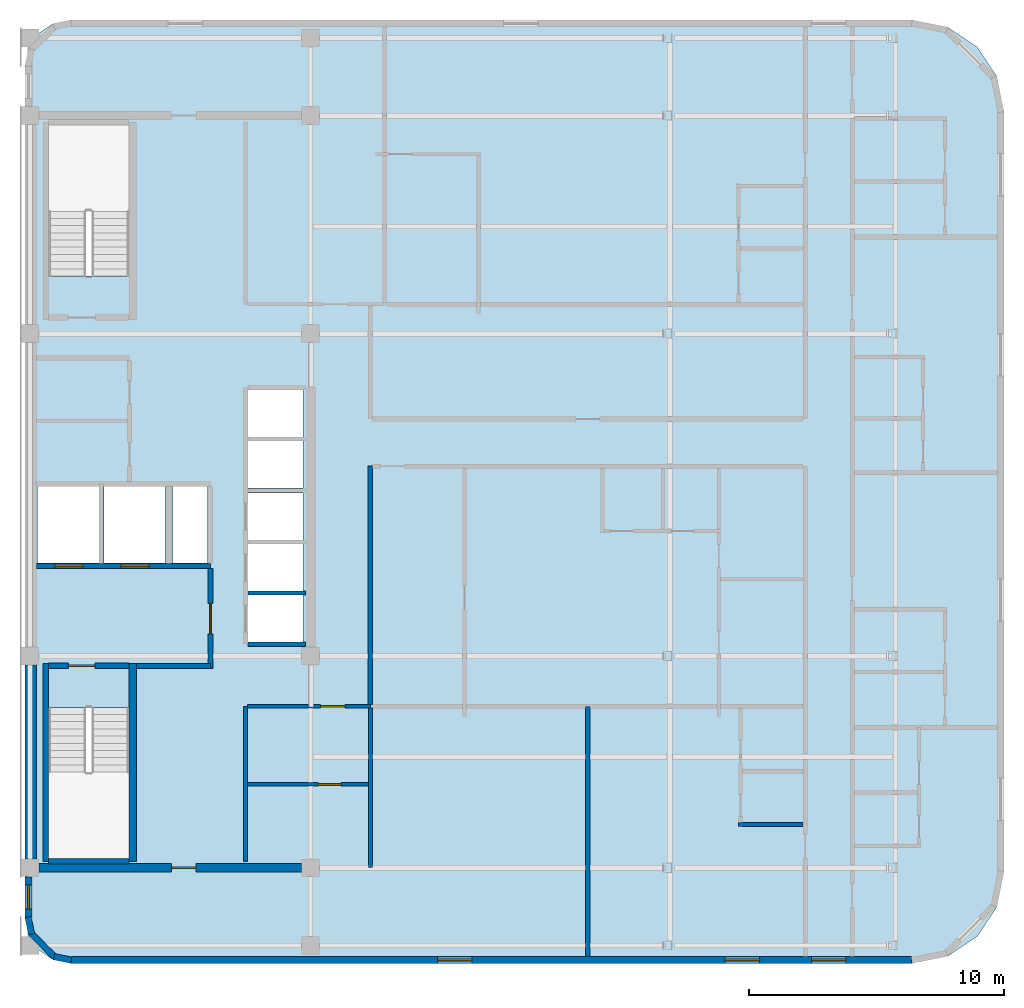
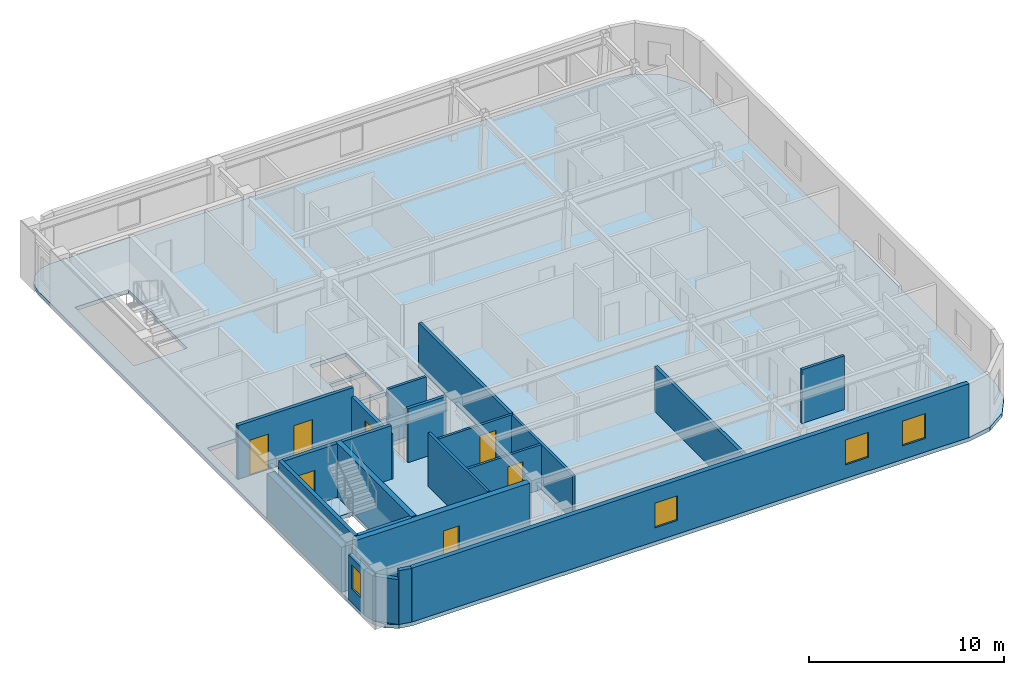
# One storey, part 2 of 6: 23 walls, 7 doors, 4 windows, 1 slab, 11 openings.
"""IFC4 building model written with IfcOpenShell, lengths in metres."""

import ifcopenshell
import ifcopenshell.guid

model = None  # the IFC model being written
_history = None  # IfcOwnerHistory: only IFC2X3 demands one
_inside = {}  # id of a spatial element -> (the spatial element, [elements in it])
_under = {}  # id of a project, library or spatial element -> (it, [spatial elements below it])
_declared = {}  # id of a project -> (the project, [libraries it declares])
_typed = {}  # id of a type object -> (the type object, [elements of that type])
_made_of = {}  # id of a material, layer set ... -> (it, [elements and type objects made of it])


def new_model(schema):
    """Start an empty IFC model of exactly this schema.

    Asked for "IFC4X3", IfcOpenShell would pick the latest addendum, in which some entities
    have other attributes; the version numbers below select the first issue.
    IFC2X3 requires an IfcOwnerHistory on every rooted entity: one is made here for all.
    """
    global model, _history
    if schema == "IFC4X3":
        model = ifcopenshell.file(schema_version=(4, 3, 0, 0))
    else:
        model = ifcopenshell.file(schema=schema)
    _inside.clear()
    _under.clear()
    _declared.clear()
    _typed.clear()
    _made_of.clear()
    _history = None
    if model.schema == "IFC2X3":
        org = make("IfcOrganization", Name="unknown")
        user = make(
            "IfcPersonAndOrganization",
            ThePerson=make("IfcPerson", FamilyName="unknown"),
            TheOrganization=org,
        )
        app = make(
            "IfcApplication",
            ApplicationDeveloper=org,
            Version="unknown",
            ApplicationFullName="unknown",
            ApplicationIdentifier="unknown",
        )
        _history = make(
            "IfcOwnerHistory",
            OwningUser=user,
            OwningApplication=app,
            ChangeAction="ADDED",
            CreationDate=0,
        )
    return model


def make(cls, **values):
    """One entity of the class cls with the attributes given. An attribute that is None is left unset."""
    return model.create_entity(
        cls, **{name: value for name, value in values.items() if value is not None}
    )


def rooted(cls, **values):
    """An entity with a GlobalId (a new one), such as an element, a storey or a relation."""
    return make(cls, GlobalId=ifcopenshell.guid.new(), OwnerHistory=_history, **values)


def si_unit(unit_type, name, prefix=None):
    """IfcSIUnit, for example si_unit("LENGTHUNIT", "METRE", prefix="MILLI")."""
    return make("IfcSIUnit", UnitType=unit_type, Prefix=prefix, Name=name)


def assignment(units):
    """IfcUnitAssignment: the units of a project."""
    return None if units is None else make("IfcUnitAssignment", Units=units)


def point(xyz):
    """IfcCartesianPoint."""
    return None if xyz is None else make("IfcCartesianPoint", Coordinates=xyz)


def direction(xyz):
    """IfcDirection."""
    return None if xyz is None else make("IfcDirection", DirectionRatios=xyz)


def frame(location, z_axis=None, x_axis=None):
    """IfcAxis2Placement3D, a coordinate frame: its origin and axes. An axis left out is left unset."""
    return make(
        "IfcAxis2Placement3D",
        Location=point(location),
        Axis=direction(z_axis),
        RefDirection=direction(x_axis),
    )


def frame_2d(location, x_axis=None):
    """IfcAxis2Placement2D, a coordinate frame in the plane: its origin and x axis."""
    return make(
        "IfcAxis2Placement2D", Location=point(location), RefDirection=direction(x_axis)
    )


def origin():
    """The frame at (0, 0, 0) with its axes left unset."""
    return frame((0.0, 0.0, 0.0))


def place(relative_to, where):
    """IfcLocalPlacement: puts the frame where relative to a parent placement (None: the world)."""
    return make(
        "IfcLocalPlacement", PlacementRelTo=relative_to, RelativePlacement=where
    )


def context(
    kind, dimensions, precision=None, world=None, true_north=None, identifier=None
):
    """IfcGeometricRepresentationContext, for example the 3D "Model" context."""
    return make(
        "IfcGeometricRepresentationContext",
        ContextIdentifier=identifier,
        ContextType=kind,
        CoordinateSpaceDimension=dimensions,
        Precision=precision,
        WorldCoordinateSystem=world,
        TrueNorth=true_north,
    )


def subcontext(parent, identifier, kind, view, scale=None):
    """IfcGeometricRepresentationSubContext, for example "Body" below "Model"."""
    return make(
        "IfcGeometricRepresentationSubContext",
        ContextIdentifier=identifier,
        ContextType=kind,
        ParentContext=parent,
        TargetScale=scale,
        TargetView=view,
    )


def project(units=None, contexts=None):
    """IfcProject with its units and contexts."""
    return rooted(
        "IfcProject",
        Name="project",
        RepresentationContexts=contexts,
        UnitsInContext=assignment(units),
    )


def spatial(cls, under=None, at=None, **own):
    """A site, building, storey or space (cls), placed at a placement, below another one or the project."""
    s = rooted(cls, ObjectPlacement=at, **own)
    if under is not None:
        _under.setdefault(under.id(), (under, []))[1].append(s)
    return s


def polyline(points):
    """IfcPolyline through the points."""
    return make("IfcPolyline", Points=[point(p) for p in points])


def profile(cls, at=None, kind="AREA", **sizes):
    """A parametric profile (cls). Its sizes go by their IFC names, for example OverallWidth=200.0."""
    return make(cls, ProfileType=kind, Position=at, **sizes)


def rectangle(**sizes):
    """IfcRectangleProfileDef."""
    return profile("IfcRectangleProfileDef", **sizes)


def outline(outer, holes=None, kind="AREA"):
    """IfcArbitraryClosedProfileDef: a profile drawn as a closed curve; with holes, ...WithVoids."""
    if holes is None:
        return make("IfcArbitraryClosedProfileDef", ProfileType=kind, OuterCurve=outer)
    return make(
        "IfcArbitraryProfileDefWithVoids",
        ProfileType=kind,
        OuterCurve=outer,
        InnerCurves=holes,
    )


def extrude(swept, where, along, depth):
    """IfcExtrudedAreaSolid: the profile swept, set in the frame where, extruded along a direction by depth."""
    return make(
        "IfcExtrudedAreaSolid",
        SweptArea=swept,
        Position=where,
        ExtrudedDirection=direction(along),
        Depth=depth,
    )


def shape(context_of_items, identifier, shape_type, items):
    """IfcShapeRepresentation: the items that make up one representation, for example the "Body"."""
    return make(
        "IfcShapeRepresentation",
        ContextOfItems=context_of_items,
        RepresentationIdentifier=identifier,
        RepresentationType=shape_type,
        Items=items,
    )


def material(Name=None, Category=None):
    """IfcMaterial."""
    return make("IfcMaterial", Name=Name, Category=Category)


def layer(
    of_material, thickness, ventilated=None, Name=None, Category=None, Priority=None
):
    """IfcMaterialLayer: one layer of a wall or slab, of a material (None: an air gap)."""
    return make(
        "IfcMaterialLayer",
        Material=of_material,
        LayerThickness=thickness,
        IsVentilated=ventilated,
        Name=Name,
        Category=Category,
        Priority=Priority,
    )


def layer_set(layers, Name=None):
    """IfcMaterialLayerSet."""
    return make("IfcMaterialLayerSet", MaterialLayers=layers, LayerSetName=Name)


def made_of(thing, what):
    """Note that an element or type object is made of a material, layer set ...; save() writes the relation."""
    if what is not None:
        _made_of.setdefault(what.id(), (what, []))[1].append(thing)
    return thing


def type_object(cls, material=None, **own):
    """A type object (cls), such as IfcWallType, which elements share."""
    return made_of(rooted(cls, **own), material)


def element(
    cls,
    number,
    at=None,
    inside=None,
    cuts=None,
    type_object=None,
    material=None,
    context=None,
    identifier="Body",
    shape_type=None,
    held_by="IfcProductDefinitionShape",
    body=None,
    shapes=None,
    **own,
):
    """One element of the class cls, such as IfcWall. Its Tag is "e" and its number.

    at: its placement. inside: the storey or other place that contains it. cuts: it is an
    opening in that element (IfcRelVoidsElement). A single representation is given by context,
    identifier, shape_type and body (its items); several are given by shapes. held_by: the class
    of the entity that holds the representations. save() writes the other relations.
    """
    e = rooted(cls, Tag="e%d" % number, ObjectPlacement=at, **own)
    if body is not None:
        shapes = [shape(context, identifier, shape_type, body)]
    if shapes is not None:
        e.Representation = make(held_by, Representations=shapes)
    if inside is not None:
        _inside.setdefault(inside.id(), (inside, []))[1].append(e)
    if cuts is not None:
        rooted(
            "IfcRelVoidsElement", RelatingBuildingElement=cuts, RelatedOpeningElement=e
        )
    if type_object is not None:
        _typed.setdefault(type_object.id(), (type_object, []))[1].append(e)
    return made_of(e, material)


def fill(opening, filler):
    """IfcRelFillsElement: the door or window that sits in an opening."""
    return rooted(
        "IfcRelFillsElement",
        RelatingOpeningElement=opening,
        RelatedBuildingElement=filler,
    )


def aggregate(whole, parts):
    """IfcRelAggregates: a whole, such as a stair, and the parts it consists of."""
    return rooted("IfcRelAggregates", RelatingObject=whole, RelatedObjects=parts)


def save(model, path):
    """Write the relations noted so far, then the file.

    IfcRelAggregates (storeys below a building ...), IfcRelContainedInSpatialStructure (elements
    in a storey), IfcRelDefinesByType, IfcRelAssociatesMaterial and IfcRelDeclares: one each for
    every whole, place, type object, material and project.
    """
    for whole, parts in _under.values():
        aggregate(whole, parts)
    for where, things in _inside.values():
        rooted(
            "IfcRelContainedInSpatialStructure",
            RelatedElements=things,
            RelatingStructure=where,
        )
    for kind, things in _typed.values():
        rooted("IfcRelDefinesByType", RelatedObjects=things, RelatingType=kind)
    for what, things in _made_of.values():
        rooted("IfcRelAssociatesMaterial", RelatedObjects=things, RelatingMaterial=what)
    for by, libraries in _declared.values():
        rooted("IfcRelDeclares", RelatingContext=by, RelatedDefinitions=libraries)
    model.write(path)


model = new_model("IFC4")

# Units and contexts
model_context = context("Model", 3, precision=1e-05, world=origin(), true_north=direction((0.0, 1.0)))
body_context = subcontext(model_context, "Body", "Model", "MODEL_VIEW")
ifc_project = project(units=[si_unit("LENGTHUNIT", "METRE"), si_unit("AREAUNIT", "SQUARE_METRE"), si_unit("VOLUMEUNIT", "CUBIC_METRE"), si_unit("PLANEANGLEUNIT", "RADIAN"), si_unit("MASSUNIT", "GRAM", prefix="KILO")], contexts=[model_context])

# Site, building, storey
site_placement = place(None, origin())
site = spatial("IfcSite", under=ifc_project, at=site_placement, CompositionType="ELEMENT")
building_placement = place(site_placement, origin())
building = spatial("IfcBuilding", under=site, at=building_placement, Name="Ochreholt Gables", CompositionType="ELEMENT")
storey_placement = place(building_placement, frame((0.0, 0.0, 264.0)))
storey = spatial("IfcBuildingStorey", under=building, at=storey_placement, Name="L69", CompositionType="ELEMENT", Elevation=264.0)

# Slab
ifc_material_1 = material(Name="Concrete 40 MPa", Category="concrete")
ifc_layer_1 = layer(ifc_material_1, 0.239990234375, Name="Concrete 40 MPa")
ifc_layer_set_1 = layer_set([ifc_layer_1], Name="Concrete 40 MPa")
slab_type = type_object("IfcSlabType", Name="SLAB-TWR-240", PredefinedType="FLOOR", material=ifc_layer_set_1)
slab_placement = place(storey_placement, frame((0.0, 0.0, -0.239990234375)))
element("IfcSlab", 1, at=slab_placement, inside=storey, type_object=slab_type, Name="L69 Structural Floor Slab", PredefinedType="FLOOR", context=body_context, shape_type="SweptSolid", body=[
    extrude(outline(polyline([(24.0, 7.300048828125), (24.136962890625, 6.611083984375), (24.527099609375, 6.027099609375), (25.111083984375, 5.636962890625), (25.800048828125, 5.5), (58.800048828125, 5.5), (60.177734375, 5.77392578125), (61.345703125, 6.554443359375), (62.1259765625, 7.722412109375), (62.39990234375, 9.10009765625), (62.39990234375, 38.89990234375), (62.1259765625, 40.277587890625), (61.345703125, 41.445556640625), (60.177734375, 42.22607421875), (58.800048828125, 42.5), (25.800048828125, 42.5), (25.111083984375, 42.363037109375), (24.527099609375, 41.972900390625), (24.136962890625, 41.388916015625), (24.0, 40.699951171875), (24.0, 7.300048828125)]), holes=[polyline([(24.919921875, 15.539306640625), (24.919921875, 9.52001953125), (28.080078125, 9.52001953125), (28.080078125, 15.539306640625), (24.919921875, 15.539306640625)]), polyline([(28.080078125, 32.460693359375), (28.080078125, 38.47998046875), (24.919921875, 38.47998046875), (24.919921875, 32.460693359375), (28.080078125, 32.460693359375)]), polyline([(24.5, 21.199951171875), (26.89990234375, 21.199951171875), (26.89990234375, 24.199951171875), (24.5, 24.199951171875), (24.5, 21.199951171875)]), polyline([(27.10009765625, 21.199951171875), (29.5, 21.199951171875), (29.5, 24.199951171875), (27.10009765625, 24.199951171875), (27.10009765625, 21.199951171875)]), polyline([(32.75, 18.10009765625), (34.89990234375, 18.10009765625), (34.89990234375, 19.949951171875), (32.75, 19.949951171875), (32.75, 18.10009765625)]), polyline([(32.75, 20.10009765625), (34.89990234375, 20.10009765625), (34.89990234375, 21.949951171875), (32.75, 21.949951171875), (32.75, 20.10009765625)]), polyline([(32.75, 22.10009765625), (34.89990234375, 22.10009765625), (34.89990234375, 23.949951171875), (32.75, 23.949951171875), (32.75, 22.10009765625)]), polyline([(32.75, 24.14990234375), (34.89990234375, 24.14990234375), (34.89990234375, 26.0), (32.75, 26.0), (32.75, 24.14990234375)]), polyline([(32.75, 26.14990234375), (34.89990234375, 26.14990234375), (34.89990234375, 28.0), (32.75, 28.0), (32.75, 26.14990234375)]), polyline([(29.800048828125, 21.199951171875), (31.14990234375, 21.199951171875), (31.14990234375, 24.199951171875), (29.800048828125, 24.199951171875), (29.800048828125, 21.199951171875)])]), origin(), (0.0, 0.0, 1.0), 0.239990234375),
])

# Wall, opening, door
ifc_material_2 = material(Name="Concrete 50 MPa", Category="concrete")
ifc_layer_2 = layer(ifc_material_2, 0.35009765625, Name="Concrete 50 MPa")
ifc_layer_set_2 = layer_set([ifc_layer_2], Name="Concrete 50 MPa")
wall_type_1 = type_object("IfcWallType", Name="WALL-CSW-350", PredefinedType="SHEAR", material=ifc_layer_set_2)
wall_1_placement = place(storey_placement, frame((24.550048828125, 9.25, 0.0), z_axis=(0.0, 0.0, 1.0), x_axis=(1.0, 0.0, 0.0)))
wall_1 = element("IfcWall", 2, at=wall_1_placement, inside=storey, type_object=wall_type_1, Name="L69 Core South Shear Wall", PredefinedType="SHEAR", context=body_context, shape_type="SweptSolid", body=[
    extrude(rectangle(XDim=10.300048828125, YDim=0.35009765625, at=frame_2d((5.14990234375, 0.0))), origin(), (0.0, 0.0, 1.0), 3.360107421875),
])
opening_1_placement = place(wall_1_placement, frame((5.199951171875, 0.0, 0.0)))
opening_1 = element("IfcOpeningElement", 3, at=opening_1_placement, cuts=wall_1, Name="Opening D-FL2", PredefinedType="OPENING", context=body_context, shape_type="SweptSolid", body=[
    extrude(rectangle(XDim=0.949951171875, YDim=2.14990234375, at=frame_2d((0.47509765625, 1.074951171875))), frame((0.0, 0.18505859375, 0.0), z_axis=(0.0, -1.0, 0.0), x_axis=(1.0, 0.0, 0.0)), (0.0, 0.0, 1.0), 0.3701171875),
])
ifc_material_3 = material(Name="Hollow Metal Steel", Category="steel")
door_type_1 = type_object("IfcDoorType", Name="DR-INT-FLB950", OperationType="NOTDEFINED", PredefinedType="DOOR", material=ifc_material_3)
door_1_placement = place(opening_1_placement, frame((0.949951171875, 0.0, 0.0), z_axis=(0.0, 0.0, 1.0), x_axis=(-1.0, 0.0, 0.0)))
door_1 = element("IfcDoor", 4, at=door_1_placement, inside=storey, type_object=door_type_1, Name="L69 Door D-C3SSL-L69", OperationType="SINGLE_SWING_LEFT", OverallHeight=2.14990234375, OverallWidth=0.949951171875, PredefinedType="DOOR", context=body_context, shape_type="SweptSolid", body=[
    extrude(rectangle(XDim=0.949951171875, YDim=2.14990234375, at=frame_2d((0.47509765625, 1.074951171875))), frame((0.0, 0.02490234375, 0.0), z_axis=(0.0, -1.0, 0.0), x_axis=(1.0, 0.0, 0.0)), (0.0, 0.0, 1.0), 0.050048828125),
])
fill(opening_1, door_1)

# Wall
ifc_layer_3 = layer(ifc_material_2, 0.449951171875, Name="Concrete 50 MPa")
ifc_layer_set_3 = layer_set([ifc_layer_3], Name="Concrete 50 MPa")
wall_type_2 = type_object("IfcWallType", Name="WALL-CSW-EXT", PredefinedType="SHEAR", material=ifc_layer_set_3)
wall_2_placement = place(storey_placement, frame((24.22509765625, 9.60009765625, 0.0), z_axis=(0.0, 0.0, 1.0), x_axis=(0.0, 1.0, 0.0)))
element("IfcWall", 5, at=wall_2_placement, inside=storey, type_object=wall_type_2, Name="L69 Core West Shear Wall WS", PredefinedType="SHEAR", context=body_context, shape_type="SweptSolid", body=[
    extrude(rectangle(XDim=7.599853515625, YDim=0.449951171875, at=frame_2d((3.7998046875, 0.0))), origin(), (0.0, 0.0, 1.0), 2.821044921875),
])

# Wall, openings, windows
ifc_material_4 = material(Name="Precast concrete 40 MPa", Category="concrete")
ifc_layer_4 = layer(ifc_material_4, 0.27001953125, Name="Precast concrete 40 MPa")
ifc_layer_set_4 = layer_set([ifc_layer_4], Name="Precast concrete 40 MPa")
wall_type_3 = type_object("IfcWallType", Name="WALL-EXT-270", PredefinedType="SOLIDWALL", material=ifc_layer_set_4)
wall_3_placement = place(storey_placement, frame((25.820068359375, 5.635009765625, 0.0), z_axis=(0.0, 0.0, 1.0), x_axis=(1.0, 0.0, 0.0)))
wall_3 = element("IfcWall", 6, at=wall_3_placement, inside=storey, type_object=wall_type_3, Name="L69 South Exterior Wall", PredefinedType="SOLIDWALL", context=body_context, shape_type="SweptSolid", body=[
    extrude(rectangle(XDim=32.9599609375, YDim=0.27001953125, at=frame_2d((16.47998046875, 0.0))), origin(), (0.0, 0.0, 1.0), 3.360107421875),
])
opening_2_placement = place(wall_3_placement, frame((14.362548828125, 0.0, 0.85009765625)))
opening_2 = element("IfcOpeningElement", 7, at=opening_2_placement, cuts=wall_3, Name="Opening WN-8", PredefinedType="OPENING", context=body_context, shape_type="SweptSolid", body=[
    extrude(rectangle(XDim=1.35009765625, YDim=1.550048828125, at=frame_2d((0.675048828125, 0.77490234375))), frame((0.0, 0.14501953125, 0.0), z_axis=(0.0, -1.0, 0.0), x_axis=(1.0, 0.0, 0.0)), (0.0, 0.0, 1.0), 0.2900390625),
])
opening_3_placement = place(wall_3_placement, frame((25.64453125, 0.0, 0.85009765625)))
opening_3 = element("IfcOpeningElement", 8, at=opening_3_placement, cuts=wall_3, Name="Opening WN-8", PredefinedType="OPENING", context=body_context, shape_type="SweptSolid", body=[
    extrude(rectangle(XDim=1.35009765625, YDim=1.550048828125, at=frame_2d((0.675048828125, 0.77490234375))), frame((0.0, 0.14501953125, 0.0), z_axis=(0.0, -1.0, 0.0), x_axis=(1.0, 0.0, 0.0)), (0.0, 0.0, 1.0), 0.2900390625),
])
opening_4_placement = place(wall_3_placement, frame((29.030029296875, 0.0, 0.85009765625)))
opening_4 = element("IfcOpeningElement", 9, at=opening_4_placement, cuts=wall_3, Name="Opening WN-8", PredefinedType="OPENING", context=body_context, shape_type="SweptSolid", body=[
    extrude(rectangle(XDim=1.35009765625, YDim=1.550048828125, at=frame_2d((0.675048828125, 0.77490234375))), frame((0.0, 0.14501953125, 0.0), z_axis=(0.0, -1.0, 0.0), x_axis=(1.0, 0.0, 0.0)), (0.0, 0.0, 1.0), 0.2900390625),
])
ifc_material_5 = material(Name="Triple-Glazed Thermally Broken Aluminium Window", Category="aluminium")
window_type_1 = type_object("IfcWindowType", Name="WIN-RES-1350", PartitioningType="SINGLE_PANEL", PredefinedType="WINDOW", material=ifc_material_5)
window_1_placement = place(opening_2_placement, origin())
window_1 = element("IfcWindow", 10, at=window_1_placement, inside=storey, type_object=window_type_1, Name="L69 Window W-EXT-S-L69-1", OverallHeight=1.550048828125, OverallWidth=1.35009765625, PartitioningType="SINGLE_PANEL", PredefinedType="WINDOW", context=body_context, shape_type="SweptSolid", body=[
    extrude(rectangle(XDim=1.35009765625, YDim=1.550048828125, at=frame_2d((0.675048828125, 0.77490234375))), frame((0.0, 0.030029296875, 0.0), z_axis=(0.0, -1.0, 0.0), x_axis=(1.0, 0.0, 0.0)), (0.0, 0.0, 1.0), 0.06005859375),
])
fill(opening_2, window_1)
window_2_placement = place(opening_3_placement, origin())
window_2 = element("IfcWindow", 11, at=window_2_placement, inside=storey, type_object=window_type_1, Name="L69 Window W-EXT-S-L69-2", OverallHeight=1.550048828125, OverallWidth=1.35009765625, PartitioningType="SINGLE_PANEL", PredefinedType="WINDOW", context=body_context, shape_type="SweptSolid", body=[
    extrude(rectangle(XDim=1.35009765625, YDim=1.550048828125, at=frame_2d((0.675048828125, 0.77490234375))), frame((0.0, 0.030029296875, 0.0), z_axis=(0.0, -1.0, 0.0), x_axis=(1.0, 0.0, 0.0)), (0.0, 0.0, 1.0), 0.06005859375),
])
fill(opening_3, window_2)
window_3_placement = place(opening_4_placement, origin())
window_3 = element("IfcWindow", 12, at=window_3_placement, inside=storey, type_object=window_type_1, Name="L69 Window W-EXT-S-L69-3", OverallHeight=1.550048828125, OverallWidth=1.35009765625, PartitioningType="SINGLE_PANEL", PredefinedType="WINDOW", context=body_context, shape_type="SweptSolid", body=[
    extrude(rectangle(XDim=1.35009765625, YDim=1.550048828125, at=frame_2d((0.675048828125, 0.77490234375))), frame((0.0, 0.030029296875, 0.0), z_axis=(0.0, -1.0, 0.0), x_axis=(1.0, 0.0, 0.0)), (0.0, 0.0, 1.0), 0.06005859375),
])
fill(opening_4, window_3)

# Wall, opening, window
wall_4_placement = place(storey_placement, frame((24.135009765625, 7.320068359375, 0.0), z_axis=(0.0, 0.0, 1.0), x_axis=(0.0, 1.0, 0.0)))
wall_4 = element("IfcWall", 13, at=wall_4_placement, inside=storey, type_object=wall_type_3, Name="L69 West Facade South Bay Wall", PredefinedType="SOLIDWALL", context=body_context, shape_type="SweptSolid", body=[
    extrude(rectangle(XDim=1.559814453125, YDim=0.27001953125, at=frame_2d((0.77978515625, 0.0))), origin(), (0.0, 0.0, 1.0), 2.802978515625),
])
opening_5_placement = place(wall_4_placement, frame((0.304931640625, 0.0, 0.85009765625)))
opening_5 = element("IfcOpeningElement", 14, at=opening_5_placement, cuts=wall_4, Name="Opening WN-10", PredefinedType="OPENING", context=body_context, shape_type="SweptSolid", body=[
    extrude(rectangle(XDim=0.949951171875, YDim=1.5, at=frame_2d((0.47509765625, 0.75))), frame((0.0, 0.14501953125, 0.0), z_axis=(0.0, -1.0, 0.0), x_axis=(1.0, 0.0, 0.0)), (0.0, 0.0, 1.0), 0.2900390625),
])
window_type_2 = type_object("IfcWindowType", Name="WIN-RES-950", PartitioningType="SINGLE_PANEL", PredefinedType="WINDOW", material=ifc_material_5)
window_4_placement = place(opening_5_placement, origin())
window_4 = element("IfcWindow", 15, at=window_4_placement, inside=storey, type_object=window_type_2, Name="L69 South Sky Lounge West Window", OverallHeight=1.5, OverallWidth=0.949951171875, PartitioningType="SINGLE_PANEL", PredefinedType="WINDOW", context=body_context, shape_type="SweptSolid", body=[
    extrude(rectangle(XDim=0.949951171875, YDim=1.5, at=frame_2d((0.47509765625, 0.75))), frame((0.0, 0.030029296875, 0.0), z_axis=(0.0, -1.0, 0.0), x_axis=(1.0, 0.0, 0.0)), (0.0, 0.0, 1.0), 0.06005859375),
])
fill(opening_5, window_4)

# Walls
ifc_layer_5 = layer(ifc_material_4, 0.25, Name="Precast concrete 40 MPa")
ifc_layer_set_5 = layer_set([ifc_layer_5], Name="Precast concrete 40 MPa")
wall_type_4 = type_object("IfcWallType", Name="WALL-EXT-CNR", PredefinedType="SOLIDWALL", material=ifc_layer_set_5)
wall_5_placement = place(storey_placement, frame((24.124267578125, 7.31640625, 0.0), z_axis=(0.0, 0.0, 1.0), x_axis=(0.194952956674, -0.980812594069, 0.0)))
element("IfcWall", 16, at=wall_5_placement, inside=storey, type_object=wall_type_4, Name="L69 Rounded Corner Wall SW-1", PredefinedType="SOLIDWALL", context=body_context, shape_type="SweptSolid", body=[
    extrude(rectangle(XDim=0.686279296875, YDim=0.25, at=frame_2d((0.34326171875, 0.0))), origin(), (0.0, 0.0, 1.0), 2.802978515625),
])
wall_6_placement = place(storey_placement, frame((24.23095703125, 6.69384765625, 0.0), z_axis=(0.0, 0.0, 1.0), x_axis=(0.707106781187, -0.707106781187, 0.0)))
element("IfcWall", 17, at=wall_6_placement, inside=storey, type_object=wall_type_4, Name="L69 Rounded Corner Wall SW-2", PredefinedType="SOLIDWALL", context=body_context, shape_type="SweptSolid", body=[
    extrude(rectangle(XDim=1.36181640625, YDim=0.25, at=frame_2d((0.680908203125, 0.0))), origin(), (0.0, 0.0, 1.0), 2.802978515625),
])
wall_7_placement = place(storey_placement, frame((25.143310546875, 5.758056640625, 0.0), z_axis=(0.0, 0.0, 1.0), x_axis=(0.980812594069, -0.194952956674, 0.0)))
element("IfcWall", 18, at=wall_7_placement, inside=storey, type_object=wall_type_4, Name="L69 Rounded Corner Wall SW-3", PredefinedType="SOLIDWALL", context=body_context, shape_type="SweptSolid", body=[
    extrude(rectangle(XDim=0.686279296875, YDim=0.25, at=frame_2d((0.34326171875, 0.0))), origin(), (0.0, 0.0, 1.0), 3.360107421875),
])

# Wall, openings, doors
ifc_layer_6 = layer(ifc_material_1, 0.199951171875, Name="Concrete 40 MPa")
ifc_layer_set_6 = layer_set([ifc_layer_6], Name="Concrete 40 MPa")
wall_type_5 = type_object("IfcWallType", Name="WALL-INT-CF200", PredefinedType="STANDARD", material=ifc_layer_set_6)
wall_8_placement = place(storey_placement, frame((24.449951171875, 21.090087890625, 0.0), z_axis=(0.0, 0.0, 1.0), x_axis=(1.0, 0.0, 0.0)))
wall_8 = element("IfcWall", 19, at=wall_8_placement, inside=storey, type_object=wall_type_5, Name="L69 Interior Wall WI-FFN-L69", PredefinedType="STANDARD", context=body_context, shape_type="SweptSolid", body=[
    extrude(rectangle(XDim=6.830078125, YDim=0.199951171875, at=frame_2d((3.4150390625, 0.0))), origin(), (0.0, 0.0, 1.0), 3.360107421875),
])
opening_6_placement = place(wall_8_placement, frame((0.719970703125, 0.0, 0.0)))
opening_6 = element("IfcOpeningElement", 20, at=opening_6_placement, cuts=wall_8, Name="Opening LD-FF", PredefinedType="OPENING", context=body_context, shape_type="SweptSolid", body=[
    extrude(rectangle(XDim=1.10009765625, YDim=2.199951171875, at=frame_2d((0.550048828125, 1.10009765625))), frame((0.0, 0.10986328125, 0.0), z_axis=(0.0, -1.0, 0.0), x_axis=(1.0, 0.0, 0.0)), (0.0, 0.0, 1.0), 0.219970703125),
])
opening_7_placement = place(wall_8_placement, frame((3.320068359375, 0.0, 0.0)))
opening_7 = element("IfcOpeningElement", 21, at=opening_7_placement, cuts=wall_8, Name="Opening LD-FF", PredefinedType="OPENING", context=body_context, shape_type="SweptSolid", body=[
    extrude(rectangle(XDim=1.10009765625, YDim=2.199951171875, at=frame_2d((0.550048828125, 1.10009765625))), frame((0.0, 0.10986328125, 0.0), z_axis=(0.0, -1.0, 0.0), x_axis=(1.0, 0.0, 0.0)), (0.0, 0.0, 1.0), 0.219970703125),
])
ifc_material_6 = material(Name="Stainless Steel", Category="steel")
door_type_2 = type_object("IfcDoorType", Name="DR-LFT-FF1100", OperationType="NOTDEFINED", PredefinedType="DOOR", material=ifc_material_6)
door_2_placement = place(opening_6_placement, origin())
door_2 = element("IfcDoor", 22, at=door_2_placement, inside=storey, type_object=door_type_2, Name="L69 Door LD-FF1-L69", OperationType="SLIDING_TO_LEFT", OverallHeight=2.199951171875, OverallWidth=1.10009765625, PredefinedType="DOOR", context=body_context, shape_type="SweptSolid", body=[
    extrude(rectangle(XDim=1.10009765625, YDim=2.199951171875, at=frame_2d((0.550048828125, 1.10009765625))), frame((0.0, 0.02490234375, 0.0), z_axis=(0.0, -1.0, 0.0), x_axis=(1.0, 0.0, 0.0)), (0.0, 0.0, 1.0), 0.050048828125),
])
fill(opening_6, door_2)
door_3_placement = place(opening_7_placement, origin())
door_3 = element("IfcDoor", 23, at=door_3_placement, inside=storey, type_object=door_type_2, Name="L69 Door LD-FF2-L69", OperationType="SLIDING_TO_LEFT", OverallHeight=2.199951171875, OverallWidth=1.10009765625, PredefinedType="DOOR", context=body_context, shape_type="SweptSolid", body=[
    extrude(rectangle(XDim=1.10009765625, YDim=2.199951171875, at=frame_2d((0.550048828125, 1.10009765625))), frame((0.0, 0.02490234375, 0.0), z_axis=(0.0, -1.0, 0.0), x_axis=(1.0, 0.0, 0.0)), (0.0, 0.0, 1.0), 0.050048828125),
])
fill(opening_7, door_3)

# Wall
wall_9_placement = place(storey_placement, frame((28.3798828125, 17.169921875, 0.0), z_axis=(0.0, 0.0, 1.0), x_axis=(1.0, 0.0, 0.0)))
element("IfcWall", 24, at=wall_9_placement, inside=storey, type_object=wall_type_5, Name="L69 Interior Wall WI-FFS-L69", PredefinedType="STANDARD", context=body_context, shape_type="SweptSolid", body=[
    extrude(rectangle(XDim=2.900146484375, YDim=0.199951171875, at=frame_2d((1.4501953125, 0.0))), origin(), (0.0, 0.0, 1.0), 3.360107421875),
])

# Wall, opening, door
wall_10_placement = place(storey_placement, frame((31.280029296875, 17.070068359375, 0.0), z_axis=(0.0, 0.0, 1.0), x_axis=(0.0, 1.0, 0.0)))
wall_10 = element("IfcWall", 25, at=wall_10_placement, inside=storey, type_object=wall_type_5, Name="L69 Interior Wall WI-FFE-L69", PredefinedType="STANDARD", context=body_context, shape_type="SweptSolid", body=[
    extrude(rectangle(XDim=3.919921875, YDim=0.199951171875, at=frame_2d((1.9599609375, 0.0))), origin(), (0.0, 0.0, 1.0), 2.802978515625),
])
opening_8_placement = place(wall_10_placement, frame((1.35009765625, 0.0, 0.0)))
opening_8 = element("IfcOpeningElement", 26, at=opening_8_placement, cuts=wall_10, Name="Opening D-FFL", PredefinedType="OPENING", context=body_context, shape_type="SweptSolid", body=[
    extrude(rectangle(XDim=1.199951171875, YDim=2.14990234375, at=frame_2d((0.60009765625, 1.074951171875))), frame((0.0, 0.10986328125, 0.0), z_axis=(0.0, -1.0, 0.0), x_axis=(1.0, 0.0, 0.0)), (0.0, 0.0, 1.0), 0.219970703125),
])
door_type_3 = type_object("IfcDoorType", Name="DR-INT-FFL1200", OperationType="NOTDEFINED", PredefinedType="DOOR", material=ifc_material_3)
door_4_placement = place(opening_8_placement, origin())
door_4 = element("IfcDoor", 27, at=door_4_placement, inside=storey, type_object=door_type_3, Name="L69 Door D-FFL-L69", OperationType="SINGLE_SWING_LEFT", OverallHeight=2.14990234375, OverallWidth=1.199951171875, PredefinedType="DOOR", context=body_context, shape_type="SweptSolid", body=[
    extrude(rectangle(XDim=1.199951171875, YDim=2.14990234375, at=frame_2d((0.60009765625, 1.074951171875))), frame((0.0, 0.02490234375, 0.0), z_axis=(0.0, -1.0, 0.0), x_axis=(1.0, 0.0, 0.0)), (0.0, 0.0, 1.0), 0.050048828125),
])
fill(opening_8, door_4)

# Walls
ifc_material_7 = material(Name="Fire-Rated Gypsum Acoustic Partition", Category="gypsum")
ifc_layer_7 = layer(ifc_material_7, 0.179931640625, Name="Fire-Rated Gypsum Acoustic Partition")
ifc_layer_set_7 = layer_set([ifc_layer_7], Name="Fire-Rated Gypsum Acoustic Partition")
wall_type_6 = type_object("IfcWallType", Name="WALL-INT-CR180", PredefinedType="STANDARD", material=ifc_layer_set_7)
wall_11_placement = place(storey_placement, frame((37.550048828125, 15.652587890625, 0.0), z_axis=(0.0, 0.0, 1.0), x_axis=(0.0, 1.0, 0.0)))
element("IfcWall", 28, at=wall_11_placement, inside=storey, type_object=wall_type_6, Name="L69 Interior Wall WI-C3CE0-L69", PredefinedType="STANDARD", context=body_context, shape_type="SweptSolid", body=[
    extrude(rectangle(XDim=9.347412109375, YDim=0.179931640625, at=frame_2d((4.673828125, 0.0))), origin(), (0.0, 0.0, 1.0), 2.802978515625),
])
ifc_material_8 = material(Name="Double-Stud Acoustic Demising Wall", Category="gypsum")
ifc_layer_8 = layer(ifc_material_8, 0.18505859375, Name="Double-Stud Acoustic Demising Wall")
ifc_layer_set_8 = layer_set([ifc_layer_8], Name="Double-Stud Acoustic Demising Wall")
wall_type_7 = type_object("IfcWallType", Name="WALL-INT-DM185", PredefinedType="PARTITIONING", material=ifc_layer_set_8)
wall_12_placement = place(storey_placement, frame((46.074951171875, 5.77001953125, 0.0), z_axis=(0.0, 0.0, 1.0), x_axis=(0.0, 1.0, 0.0)))
element("IfcWall", 29, at=wall_12_placement, inside=storey, type_object=wall_type_7, Name="L69 Interior Wall WI-C3SMX-L69", PredefinedType="PARTITIONING", context=body_context, shape_type="SweptSolid", body=[
    extrude(rectangle(XDim=9.81005859375, YDim=0.18505859375, at=frame_2d((4.905029296875, 0.0))), origin(), (0.0, 0.0, 1.0), 2.802978515625),
])
ifc_material_9 = material(Name="Moisture-Resistant Plumbing Chase Wall", Category="gypsum")
ifc_layer_9 = layer(ifc_material_9, 0.159912109375, Name="Moisture-Resistant Plumbing Chase Wall")
ifc_layer_set_9 = layer_set([ifc_layer_9], Name="Moisture-Resistant Plumbing Chase Wall")
wall_type_8 = type_object("IfcWallType", Name="WALL-INT-PL160", PredefinedType="PLUMBINGWALL", material=ifc_layer_set_9)
wall_13_placement = place(storey_placement, frame((51.97998046875, 10.93994140625, 0.0), z_axis=(0.0, 0.0, 1.0), x_axis=(1.0, 0.0, 0.0)))
element("IfcWall", 30, at=wall_13_placement, inside=storey, type_object=wall_type_8, Name="L69 Interior Wall WU-L69SM1-WYS", PredefinedType="PLUMBINGWALL", context=body_context, shape_type="SweptSolid", body=[
    extrude(rectangle(XDim=2.530029296875, YDim=0.159912109375, at=frame_2d((1.26513671875, 0.0))), origin(), (0.0, 0.0, 1.0), 3.360107421875),
])
ifc_material_10 = material(Name="Lightweight Stud Partition", Category="gypsum")
ifc_layer_10 = layer(ifc_material_10, 0.14501953125, Name="Lightweight Stud Partition")
ifc_layer_set_10 = layer_set([ifc_layer_10], Name="Lightweight Stud Partition")
wall_type_9 = type_object("IfcWallType", Name="WALL-INT-PT145", PredefinedType="PARTITIONING", material=ifc_layer_set_10)
wall_14_placement = place(storey_placement, frame((32.64990234375, 9.5, 0.0), z_axis=(0.0, 0.0, 1.0), x_axis=(0.0, 1.0, 0.0)))
element("IfcWall", 31, at=wall_14_placement, inside=storey, type_object=wall_type_9, Name="L69 Interior Wall WI-RCL-W-L69", PredefinedType="PARTITIONING", context=body_context, shape_type="SweptSolid", body=[
    extrude(rectangle(XDim=6.080078125, YDim=0.14501953125, at=frame_2d((3.0400390625, 0.0))), origin(), (0.0, 0.0, 1.0), 3.360107421875),
])

# Wall, opening, door
wall_15_placement = place(storey_placement, frame((32.722412109375, 15.580078125, 0.0), z_axis=(0.0, 0.0, 1.0), x_axis=(1.0, 0.0, 0.0)))
wall_15 = element("IfcWall", 32, at=wall_15_placement, inside=storey, type_object=wall_type_9, Name="L69 Interior Wall WI-RCL-N-L69", PredefinedType="PARTITIONING", context=body_context, shape_type="SweptSolid", body=[
    extrude(rectangle(XDim=4.82763671875, YDim=0.14501953125, at=frame_2d((2.413818359375, 0.0))), origin(), (0.0, 0.0, 1.0), 2.802978515625),
])
opening_9_placement = place(wall_15_placement, frame((2.87744140625, 0.0, 0.0)))
opening_9 = element("IfcOpeningElement", 33, at=opening_9_placement, cuts=wall_15, Name="Opening D-GN1", PredefinedType="OPENING", context=body_context, shape_type="SweptSolid", body=[
    extrude(rectangle(XDim=0.949951171875, YDim=2.14990234375, at=frame_2d((0.47509765625, 1.074951171875))), frame((0.0, 0.08251953125, 0.0), z_axis=(0.0, -1.0, 0.0), x_axis=(1.0, 0.0, 0.0)), (0.0, 0.0, 1.0), 0.1650390625),
])
ifc_material_11 = material(Name="Engineered Oak Timber", Category="wood")
door_type_4 = type_object("IfcDoorType", Name="DR-INT-GEN950", OperationType="NOTDEFINED", PredefinedType="DOOR", material=ifc_material_11)
door_5_placement = place(opening_9_placement, origin())
door_5 = element("IfcDoor", 34, at=door_5_placement, inside=storey, type_object=door_type_4, Name="L69 Door D-RCL-L69", OperationType="SINGLE_SWING_LEFT", OverallHeight=2.14990234375, OverallWidth=0.949951171875, PredefinedType="DOOR", context=body_context, shape_type="SweptSolid", body=[
    extrude(rectangle(XDim=0.949951171875, YDim=2.14990234375, at=frame_2d((0.47509765625, 1.074951171875))), frame((0.0, 0.02490234375, 0.0), z_axis=(0.0, -1.0, 0.0), x_axis=(1.0, 0.0, 0.0)), (0.0, 0.0, 1.0), 0.050048828125),
])
fill(opening_9, door_5)

# Wall
wall_16_placement = place(storey_placement, frame((37.550048828125, 9.25, 0.0), z_axis=(0.0, 0.0, 1.0), x_axis=(0.0, 1.0, 0.0)))
element("IfcWall", 35, at=wall_16_placement, inside=storey, type_object=wall_type_9, Name="L69 Interior Wall WI-RCL-E-L69", PredefinedType="PARTITIONING", context=body_context, shape_type="SweptSolid", body=[
    extrude(rectangle(XDim=6.257568359375, YDim=0.14501953125, at=frame_2d((3.12890625, 0.0))), origin(), (0.0, 0.0, 1.0), 2.802978515625),
])

# Wall, opening, door
wall_17_placement = place(storey_placement, frame((32.722412109375, 12.52001953125, 0.0), z_axis=(0.0, 0.0, 1.0), x_axis=(1.0, 0.0, 0.0)))
wall_17 = element("IfcWall", 36, at=wall_17_placement, inside=storey, type_object=wall_type_9, Name="L69 Interior Wall WI-RCL-DV-L69", PredefinedType="PARTITIONING", context=body_context, shape_type="SweptSolid", body=[
    extrude(rectangle(XDim=4.755126953125, YDim=0.14501953125, at=frame_2d((2.37744140625, 0.0))), origin(), (0.0, 0.0, 1.0), 2.802978515625),
])
opening_10_placement = place(wall_17_placement, frame((2.777587890625, 0.0, 0.0)))
opening_10 = element("IfcOpeningElement", 37, at=opening_10_placement, cuts=wall_17, Name="Opening D-SV1", PredefinedType="OPENING", context=body_context, shape_type="SweptSolid", body=[
    extrude(rectangle(XDim=0.89990234375, YDim=2.10009765625, at=frame_2d((0.449951171875, 1.050048828125))), frame((0.0, 0.08251953125, 0.0), z_axis=(0.0, -1.0, 0.0), x_axis=(1.0, 0.0, 0.0)), (0.0, 0.0, 1.0), 0.1650390625),
])
door_type_5 = type_object("IfcDoorType", Name="DR-INT-SRV900", OperationType="NOTDEFINED", PredefinedType="DOOR", material=ifc_material_3)
door_6_placement = place(opening_10_placement, origin())
door_6 = element("IfcDoor", 38, at=door_6_placement, inside=storey, type_object=door_type_5, Name="L69 Door D-RCLI-L69", OperationType="SINGLE_SWING_RIGHT", OverallHeight=2.10009765625, OverallWidth=0.89990234375, PredefinedType="DOOR", context=body_context, shape_type="SweptSolid", body=[
    extrude(rectangle(XDim=0.89990234375, YDim=2.10009765625, at=frame_2d((0.449951171875, 1.050048828125))), frame((0.0, 0.02490234375, 0.0), z_axis=(0.0, -1.0, 0.0), x_axis=(1.0, 0.0, 0.0)), (0.0, 0.0, 1.0), 0.050048828125),
])
fill(opening_10, door_6)

# Walls
ifc_material_12 = material(Name="Gypsum Shaftliner and Steel Stud", Category="steel")
ifc_layer_11 = layer(ifc_material_12, 0.14990234375, Name="Gypsum Shaftliner and Steel Stud")
ifc_layer_set_11 = layer_set([ifc_layer_11], Name="Gypsum Shaftliner and Steel Stud")
wall_type_10 = type_object("IfcWallType", Name="WALL-INT-SH150", PredefinedType="STANDARD", material=ifc_layer_set_11)
wall_18_placement = place(storey_placement, frame((32.739990234375, 20.02001953125, 0.0), z_axis=(0.0, 0.0, 1.0), x_axis=(1.0, 0.0, 0.0)))
element("IfcWall", 39, at=wall_18_placement, inside=storey, type_object=wall_type_10, Name="L69 Interior Wall WI-LFHE-DH1-L69", PredefinedType="STANDARD", context=body_context, shape_type="SweptSolid", body=[
    extrude(rectangle(XDim=2.260009765625, YDim=0.14990234375, at=frame_2d((1.1298828125, 0.0))), origin(), (0.0, 0.0, 1.0), 3.360107421875),
])
ifc_layer_12 = layer(ifc_material_12, 0.179931640625, Name="Gypsum Shaftliner and Steel Stud")
ifc_layer_set_12 = layer_set([ifc_layer_12], Name="Gypsum Shaftliner and Steel Stud")
wall_type_11 = type_object("IfcWallType", Name="WALL-INT-SH180", PredefinedType="STANDARD", material=ifc_layer_set_12)
wall_19_placement = place(storey_placement, frame((32.739990234375, 18.02001953125, 0.0), z_axis=(0.0, 0.0, 1.0), x_axis=(1.0, 0.0, 0.0)))
element("IfcWall", 40, at=wall_19_placement, inside=storey, type_object=wall_type_11, Name="L69 Interior Wall WI-LFHE-S-L69", PredefinedType="STANDARD", context=body_context, shape_type="SweptSolid", body=[
    extrude(rectangle(XDim=2.260009765625, YDim=0.179931640625, at=frame_2d((1.1298828125, 0.0))), origin(), (0.0, 0.0, 1.0), 3.360107421875),
])
ifc_material_13 = material(Name="Concrete 60 MPa", Category="concrete")
ifc_layer_13 = layer(ifc_material_13, 0.300048828125, Name="Concrete 60 MPa")
ifc_layer_set_13 = layer_set([ifc_layer_13], Name="Concrete 60 MPa")
wall_type_12 = type_object("IfcWallType", Name="WALL-SPN-300", PredefinedType="SHEAR", material=ifc_layer_set_13)
wall_20_placement = place(storey_placement, frame((28.22998046875, 9.5, 0.0), z_axis=(0.0, 0.0, 1.0), x_axis=(0.0, 1.0, 0.0)))
element("IfcWall", 41, at=wall_20_placement, inside=storey, type_object=wall_type_12, Name="L69 Core South Spine Shear Wall", PredefinedType="SHEAR", context=body_context, shape_type="SweptSolid", body=[
    extrude(rectangle(XDim=7.760009765625, YDim=0.300048828125, at=frame_2d((3.8798828125, 0.0))), origin(), (0.0, 0.0, 1.0), 3.360107421875),
])
ifc_layer_14 = layer(ifc_material_2, 0.219970703125, Name="Concrete 50 MPa")
ifc_layer_set_14 = layer_set([ifc_layer_14], Name="Concrete 50 MPa")
wall_type_13 = type_object("IfcWallType", Name="WALL-STW-220", PredefinedType="SHEAR", material=ifc_layer_set_14)
wall_21_placement = place(storey_placement, frame((24.81005859375, 9.5, 0.0), z_axis=(0.0, 0.0, 1.0), x_axis=(0.0, 1.0, 0.0)))
element("IfcWall", 42, at=wall_21_placement, inside=storey, type_object=wall_type_13, Name="L69 Exit Stair 1 West Wall", PredefinedType="SHEAR", context=body_context, shape_type="SweptSolid", body=[
    extrude(rectangle(XDim=7.760009765625, YDim=0.219970703125, at=frame_2d((3.8798828125, 0.0))), origin(), (0.0, 0.0, 1.0), 3.360107421875),
])
wall_22_placement = place(storey_placement, frame((24.919921875, 9.510009765625, 0.0), z_axis=(0.0, 0.0, 1.0), x_axis=(1.0, 0.0, 0.0)))
element("IfcWall", 43, at=wall_22_placement, inside=storey, type_object=wall_type_13, Name="L69 Exit Stair 1 South Wall", PredefinedType="SHEAR", context=body_context, shape_type="SweptSolid", body=[
    extrude(rectangle(XDim=3.16015625, YDim=0.219970703125, at=frame_2d((1.580078125, 0.0))), origin(), (0.0, 0.0, 1.0), 3.360107421875),
])

# Wall, opening, door
wall_23_placement = place(storey_placement, frame((24.919921875, 17.169921875, 0.0), z_axis=(0.0, 0.0, 1.0), x_axis=(1.0, 0.0, 0.0)))
wall_23 = element("IfcWall", 44, at=wall_23_placement, inside=storey, type_object=wall_type_13, Name="L69 Exit Stair 1 North Wall", PredefinedType="SHEAR", context=body_context, shape_type="SweptSolid", body=[
    extrude(rectangle(XDim=3.16015625, YDim=0.219970703125, at=frame_2d((1.580078125, 0.0))), origin(), (0.0, 0.0, 1.0), 3.360107421875),
])
opening_11_placement = place(wall_23_placement, frame((0.780029296875, 0.0, 0.0)))
opening_11 = element("IfcOpeningElement", 45, at=opening_11_placement, cuts=wall_23, Name="Opening D-STC", PredefinedType="OPENING", context=body_context, shape_type="SweptSolid", body=[
    extrude(rectangle(XDim=1.050048828125, YDim=2.14990234375, at=frame_2d((0.52490234375, 1.074951171875))), frame((0.0, 0.119873046875, 0.0), z_axis=(0.0, -1.0, 0.0), x_axis=(1.0, 0.0, 0.0)), (0.0, 0.0, 1.0), 0.239990234375),
])
door_type_6 = type_object("IfcDoorType", Name="DR-INT-ST1050", OperationType="NOTDEFINED", PredefinedType="DOOR", material=ifc_material_3)
door_7_placement = place(opening_11_placement, frame((1.050048828125, 0.0, 0.0), z_axis=(0.0, 0.0, 1.0), x_axis=(-1.0, 0.0, 0.0)))
door_7 = element("IfcDoor", 46, at=door_7_placement, inside=storey, type_object=door_type_6, Name="L69 Door D-ST1-L69", OperationType="SINGLE_SWING_LEFT", OverallHeight=2.14990234375, OverallWidth=1.050048828125, PredefinedType="DOOR", context=body_context, shape_type="SweptSolid", body=[
    extrude(rectangle(XDim=1.050048828125, YDim=2.14990234375, at=frame_2d((0.52490234375, 1.074951171875))), frame((0.0, 0.02490234375, 0.0), z_axis=(0.0, -1.0, 0.0), x_axis=(1.0, 0.0, 0.0)), (0.0, 0.0, 1.0), 0.050048828125),
])
fill(opening_11, door_7)

save(model, "model.ifc")
